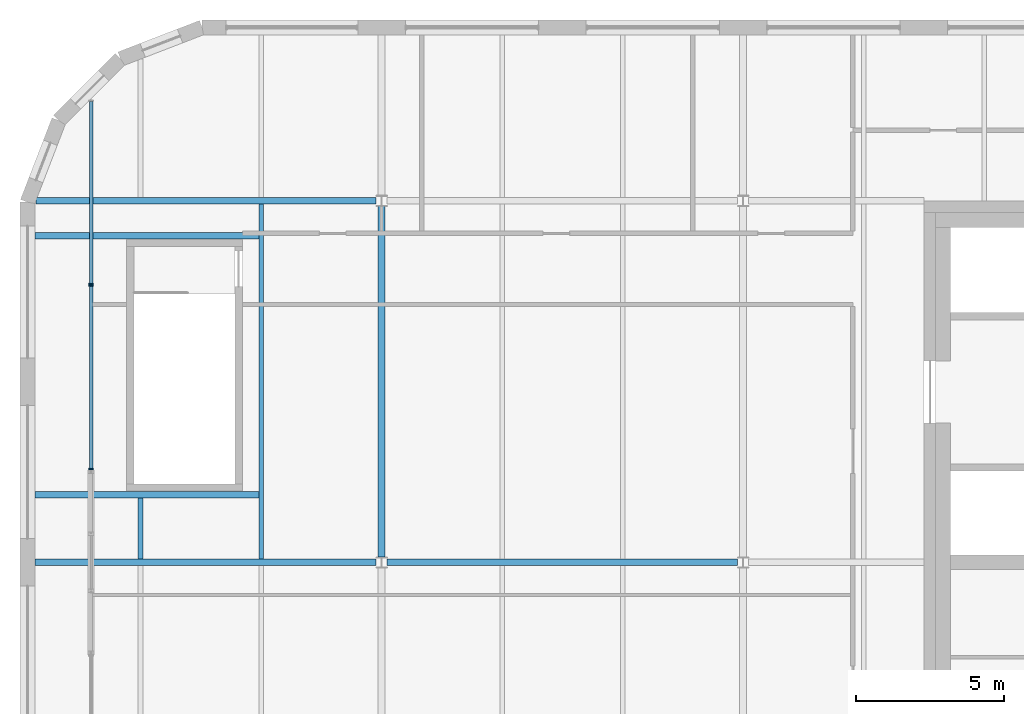
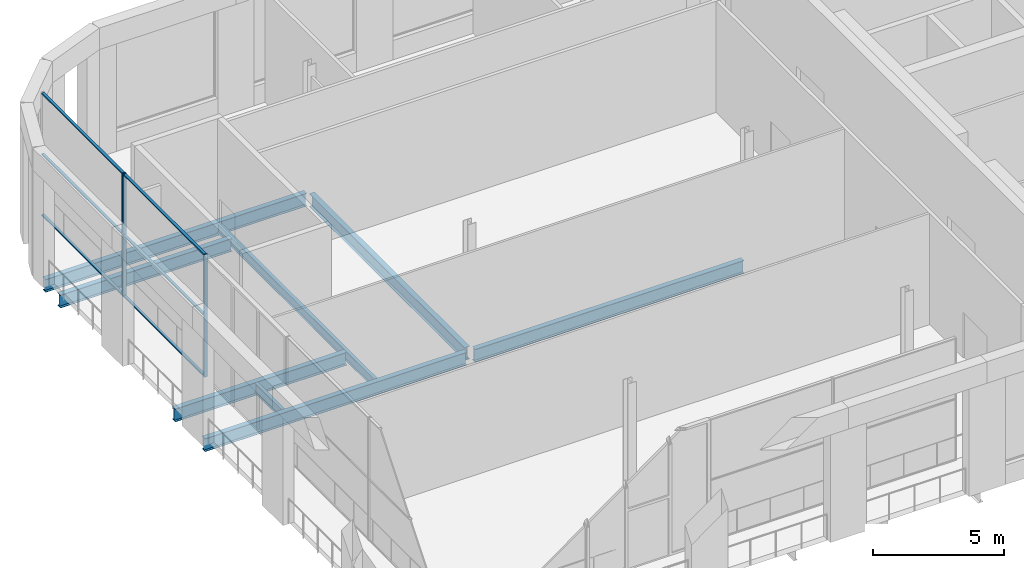
# One storey, part 4 of 19: 9 members, 8 beams, 2 elements without a shape of their own.
"""IFC4 building model written with IfcOpenShell, lengths in metres."""

from ifc_helpers import new_model, si_unit, direction, frame, origin, origin_2d, place, context, subcontext, project, spatial, rectangle, i_section, extrude, material, material_profile, profile_set, type_object, element, aggregate, save


model = new_model("IFC4")

# Units and contexts
model_context = context("Model", 3, precision=1e-05, world=origin(), true_north=direction((0.0, 1.0)))
body_context = subcontext(model_context, "Body", "Model", "MODEL_VIEW")
ifc_project = project(units=[si_unit("LENGTHUNIT", "METRE"), si_unit("AREAUNIT", "SQUARE_METRE"), si_unit("VOLUMEUNIT", "CUBIC_METRE"), si_unit("PLANEANGLEUNIT", "RADIAN"), si_unit("MASSUNIT", "GRAM", prefix="KILO")], contexts=[model_context])

# Site, building, storey
site_placement = place(None, origin())
site = spatial("IfcSite", under=ifc_project, at=site_placement, CompositionType="ELEMENT")
building_placement = place(site_placement, origin())
building = spatial("IfcBuilding", under=site, at=building_placement, Name="Tessera Gate Towers", CompositionType="ELEMENT")
storey_placement = place(building_placement, frame((0.0, 0.0, 259.699951171875)))
storey = spatial("IfcBuildingStorey", under=building, at=storey_placement, Name="L65", CompositionType="ELEMENT", Elevation=259.699951171875)

# Beams
ifc_material_1 = material(Name="Steel 350W", Category="steel")
ifc_material_profile_1 = material_profile(ifc_material_1, i_section(OverallWidth=0.22802734375, OverallDepth=0.60302734375, WebThickness=0.010498046875, FlangeThickness=0.014892578125, at=origin_2d()), Name="W610x101")
ifc_profile_set_1 = profile_set([ifc_material_profile_1], Name="Steel 350W")
beam_type_1 = type_object("IfcBeamType", Name="FLOOR GIRDER W610x101", PredefinedType="BEAM", material=ifc_profile_set_1)
beam_1_placement = place(storey_placement, frame((0.4990234375, 36.60009765625, -0.551513671875), z_axis=(1.0, 0.0, 0.0), x_axis=(0.0, 1.0, 0.0)))
element("IfcBeam", 1, at=beam_1_placement, inside=storey, type_object=beam_type_1, Name="T1-GD-L65-6312", PredefinedType="BEAM", context=body_context, shape_type="SweptSolid", body=[
    extrude(i_section(OverallWidth=0.22802734375, OverallDepth=0.60302734375, WebThickness=0.010498046875, FlangeThickness=0.014892578125, at=origin_2d()), origin(), (0.0, 0.0, 1.0), 11.516357421875),
])
beam_2_placement = place(storey_placement, frame((12.384521484375, 36.60009765625, -0.551513671875), z_axis=(1.0, 0.0, 0.0), x_axis=(0.0, 1.0, 0.0)))
element("IfcBeam", 2, at=beam_2_placement, inside=storey, type_object=beam_type_1, Name="T1-GD-L65-6313", PredefinedType="BEAM", context=body_context, shape_type="SweptSolid", body=[
    extrude(i_section(OverallWidth=0.22802734375, OverallDepth=0.60302734375, WebThickness=0.010498046875, FlangeThickness=0.014892578125, at=origin_2d()), origin(), (0.0, 0.0, 1.0), 11.8310546875),
])
beam_3_placement = place(storey_placement, frame((0.534912109375, 48.800048828125, -0.551513671875), z_axis=(1.0, 0.0, 0.0), x_axis=(0.0, 1.0, 0.0)))
element("IfcBeam", 3, at=beam_3_placement, inside=storey, type_object=beam_type_1, Name="T1-GD-L65-6316", PredefinedType="BEAM", context=body_context, shape_type="SweptSolid", body=[
    extrude(i_section(OverallWidth=0.22802734375, OverallDepth=0.60302734375, WebThickness=0.010498046875, FlangeThickness=0.014892578125, at=origin_2d()), origin(), (0.0, 0.0, 1.0), 11.48046875),
])
beam_4_placement = place(storey_placement, frame((12.199951171875, 36.784423828125, -0.551513671875), z_axis=(0.0, 1.0, 0.0), x_axis=(-1.0, 0.0, 0.0)))
element("IfcBeam", 4, at=beam_4_placement, inside=storey, type_object=beam_type_1, Name="T1-GD-L65-6322", PredefinedType="BEAM", context=body_context, shape_type="SweptSolid", body=[
    extrude(i_section(OverallWidth=0.22802734375, OverallDepth=0.60302734375, WebThickness=0.010498046875, FlangeThickness=0.014892578125, at=origin_2d()), origin(), (0.0, 0.0, 1.0), 11.8310546875),
])
for number, where, z_axis, x_axis, name in (
    (5, (0.4990234375, 38.8798828125, -0.551513671875), (1.0, 0.0, 0.0), (0.0, 1.0, 0.0), "T1-GD-L65-6330"),
    (6, (0.4990234375, 47.6201171875, -0.551513671875), (1.0, 0.0, 0.0), (0.0, 1.0, 0.0), "T1-GD-L65-6331"),
):
    element("IfcBeam", number, at=place(storey_placement, frame(where, z_axis=z_axis, x_axis=x_axis)), inside=storey, type_object=beam_type_1, Name=name, PredefinedType="BEAM", context=body_context, shape_type="SweptSolid", body=[
        extrude(i_section(OverallWidth=0.22802734375, OverallDepth=0.60302734375, WebThickness=0.010498046875, FlangeThickness=0.014892578125, at=origin_2d()), origin(), (0.0, 0.0, 1.0), 7.557861328125),
    ])
ifc_material_2 = material(Name="Steel 350W", Category="steel")
ifc_material_profile_2 = material_profile(ifc_material_2, i_section(OverallWidth=0.153076171875, OverallDepth=0.455078125, WebThickness=0.008056640625, FlangeThickness=0.01318359375, at=origin_2d()), Name="W460x60")
ifc_profile_set_2 = profile_set([ifc_material_profile_2], Name="Steel 350W")
beam_type_2 = type_object("IfcBeamType", Name="FLOOR SECONDARY W460x60", PredefinedType="BEAM", material=ifc_profile_set_2)
beam_5_placement = place(storey_placement, frame((4.066650390625, 36.714111328125, -0.4775390625), z_axis=(0.0, 1.0, 0.0), x_axis=(-1.0, 0.0, 0.0)))
element("IfcBeam", 7, at=beam_5_placement, inside=storey, type_object=beam_type_2, Name="T1-BM-L65-6337", PredefinedType="BEAM", context=body_context, shape_type="SweptSolid", body=[
    extrude(i_section(OverallWidth=0.153076171875, OverallDepth=0.455078125, WebThickness=0.008056640625, FlangeThickness=0.01318359375, at=origin_2d()), origin(), (0.0, 0.0, 1.0), 2.052001953125),
])
beam_6_placement = place(storey_placement, frame((8.13330078125, 36.714111328125, -0.4775390625), z_axis=(0.0, 1.0, 0.0), x_axis=(-1.0, 0.0, 0.0)))
element("IfcBeam", 8, at=beam_6_placement, inside=storey, type_object=beam_type_2, Name="T1-BM-L65-6341", PredefinedType="BEAM", context=body_context, shape_type="SweptSolid", body=[
    extrude(i_section(OverallWidth=0.153076171875, OverallDepth=0.455078125, WebThickness=0.008056640625, FlangeThickness=0.01318359375, at=origin_2d()), origin(), (0.0, 0.0, 1.0), 11.971923828125),
])

# Curtain wall, members
ifc_material_3 = material(Name="Aluminium frame", Category="aluminium")
curtain_wall_type = type_object("IfcCurtainWallType", Name="CW-S4 observation glass", PredefinedType="NOTDEFINED", material=ifc_material_3)
curtain_wall_1_placement = place(storey_placement, origin())
curtain_wall_1 = element("IfcCurtainWall", 9, at=curtain_wall_1_placement, inside=storey, type_object=curtain_wall_type, Name="Curtain wall observation glass 0114", PredefinedType="NOTDEFINED")
ifc_material_4 = material(Name="Aluminium frame", Category="aluminium")
ifc_material_profile_3 = material_profile(ifc_material_4, rectangle(XDim=0.050048828125, YDim=0.14990234375, at=origin_2d()), Name="AL 50x150")
ifc_profile_set_3 = profile_set([ifc_material_profile_3], Name="Aluminium frame")
member_type_1 = type_object("IfcMemberType", Name="MU-S4 mullion 50x150", PredefinedType="MULLION", material=ifc_profile_set_3)
member_1_placement = place(storey_placement, frame((2.39990234375, 39.7451171875, 0.0), z_axis=(0.0, 0.0, 1.0), x_axis=(0.0, 1.0, 0.0)))
member_1 = element("IfcMember", 10, at=member_1_placement, type_object=member_type_1, Name="T1-CW4-0114 mullion 1", PredefinedType="MULLION", context=body_context, shape_type="SweptSolid", body=[
    extrude(rectangle(XDim=0.050048828125, YDim=0.14990234375, at=origin_2d()), origin(), (0.0, 0.0, 1.0), 5.699951171875),
])
member_2_placement = place(storey_placement, frame((2.39990234375, 45.93505859375, 0.0), z_axis=(0.0, 0.0, 1.0), x_axis=(0.0, 1.0, 0.0)))
member_2 = element("IfcMember", 11, at=member_2_placement, type_object=member_type_1, Name="T1-CW4-0114 mullion 2", PredefinedType="MULLION", context=body_context, shape_type="SweptSolid", body=[
    extrude(rectangle(XDim=0.050048828125, YDim=0.14990234375, at=origin_2d()), origin(), (0.0, 0.0, 1.0), 5.699951171875),
])

# Curtain wall, member
curtain_wall_2_placement = place(storey_placement, origin())
curtain_wall_2 = element("IfcCurtainWall", 12, at=curtain_wall_2_placement, inside=storey, type_object=curtain_wall_type, Name="Curtain wall observation glass 0115", PredefinedType="NOTDEFINED")
member_3_placement = place(storey_placement, frame((2.39990234375, 45.985107421875, 0.0), z_axis=(0.0, 0.0, 1.0), x_axis=(0.0, 1.0, 0.0)))
member_3 = element("IfcMember", 13, at=member_3_placement, type_object=member_type_1, Name="T1-CW4-0115 mullion 1", PredefinedType="MULLION", context=body_context, shape_type="SweptSolid", body=[
    extrude(rectangle(XDim=0.050048828125, YDim=0.14990234375, at=origin_2d()), origin(), (0.0, 0.0, 1.0), 5.699951171875),
])

# Member
ifc_material_5 = material(Name="Aluminium frame", Category="aluminium")
ifc_material_profile_4 = material_profile(ifc_material_5, rectangle(XDim=0.1201171875, YDim=0.050048828125, at=origin_2d()), Name="AL 50x120")
ifc_profile_set_4 = profile_set([ifc_material_profile_4], Name="Aluminium frame")
member_type_2 = type_object("IfcMemberType", Name="TR-S4 transom 50x120", PredefinedType="USERDEFINED", material=ifc_profile_set_4)
member_4_placement = place(storey_placement, frame((2.39990234375, 39.77001953125, 0.025146484375), z_axis=(0.0, 1.0, 0.0), x_axis=(-1.0, 0.0, 0.0)))
member_4 = element("IfcMember", 14, at=member_4_placement, type_object=member_type_2, Name="T1-CW4-0114 transom 1.1", ObjectType="TRANSOM", PredefinedType="USERDEFINED", context=body_context, shape_type="SweptSolid", body=[
    extrude(rectangle(XDim=0.1201171875, YDim=0.050048828125, at=origin_2d()), origin(), (0.0, 0.0, 1.0), 6.139892578125),
])

member_5_placement = place(storey_placement, frame((2.39990234375, 39.77001953125, 2.85009765625), z_axis=(0.0, 1.0, 0.0), x_axis=(-1.0, 0.0, 0.0)))
member_5 = element("IfcMember", 15, at=member_5_placement, type_object=member_type_2, Name="T1-CW4-0114 transom 1.2", ObjectType="TRANSOM", PredefinedType="USERDEFINED", context=body_context, shape_type="SweptSolid", body=[
    extrude(rectangle(XDim=0.1201171875, YDim=0.050048828125, at=origin_2d()), origin(), (0.0, 0.0, 1.0), 6.139892578125),
])

member_6_placement = place(storey_placement, frame((2.39990234375, 39.77001953125, 5.675048828125), z_axis=(0.0, 1.0, 0.0), x_axis=(-1.0, 0.0, 0.0)))
member_6 = element("IfcMember", 16, at=member_6_placement, type_object=member_type_2, Name="T1-CW4-0114 transom 1.3", ObjectType="TRANSOM", PredefinedType="USERDEFINED", context=body_context, shape_type="SweptSolid", body=[
    extrude(rectangle(XDim=0.1201171875, YDim=0.050048828125, at=origin_2d()), origin(), (0.0, 0.0, 1.0), 6.139892578125),
])

aggregate(curtain_wall_1, [member_1, member_2, member_4, member_5, member_6])

member_7_placement = place(storey_placement, frame((2.39990234375, 46.010009765625, 0.025146484375), z_axis=(0.0, 1.0, 0.0), x_axis=(-1.0, 0.0, 0.0)))
member_7 = element("IfcMember", 17, at=member_7_placement, type_object=member_type_2, Name="T1-CW4-0115 transom 1.1", ObjectType="TRANSOM", PredefinedType="USERDEFINED", context=body_context, shape_type="SweptSolid", body=[
    extrude(rectangle(XDim=0.1201171875, YDim=0.050048828125, at=origin_2d()), origin(), (0.0, 0.0, 1.0), 6.139892578125),
])

member_8_placement = place(storey_placement, frame((2.39990234375, 46.010009765625, 2.85009765625), z_axis=(0.0, 1.0, 0.0), x_axis=(-1.0, 0.0, 0.0)))
member_8 = element("IfcMember", 18, at=member_8_placement, type_object=member_type_2, Name="T1-CW4-0115 transom 1.2", ObjectType="TRANSOM", PredefinedType="USERDEFINED", context=body_context, shape_type="SweptSolid", body=[
    extrude(rectangle(XDim=0.1201171875, YDim=0.050048828125, at=origin_2d()), origin(), (0.0, 0.0, 1.0), 6.139892578125),
])

member_9_placement = place(storey_placement, frame((2.39990234375, 46.010009765625, 5.675048828125), z_axis=(0.0, 1.0, 0.0), x_axis=(-1.0, 0.0, 0.0)))
member_9 = element("IfcMember", 19, at=member_9_placement, type_object=member_type_2, Name="T1-CW4-0115 transom 1.3", ObjectType="TRANSOM", PredefinedType="USERDEFINED", context=body_context, shape_type="SweptSolid", body=[
    extrude(rectangle(XDim=0.1201171875, YDim=0.050048828125, at=origin_2d()), origin(), (0.0, 0.0, 1.0), 6.139892578125),
])

aggregate(curtain_wall_2, [member_3, member_7, member_8, member_9])

save(model, "model.ifc")
